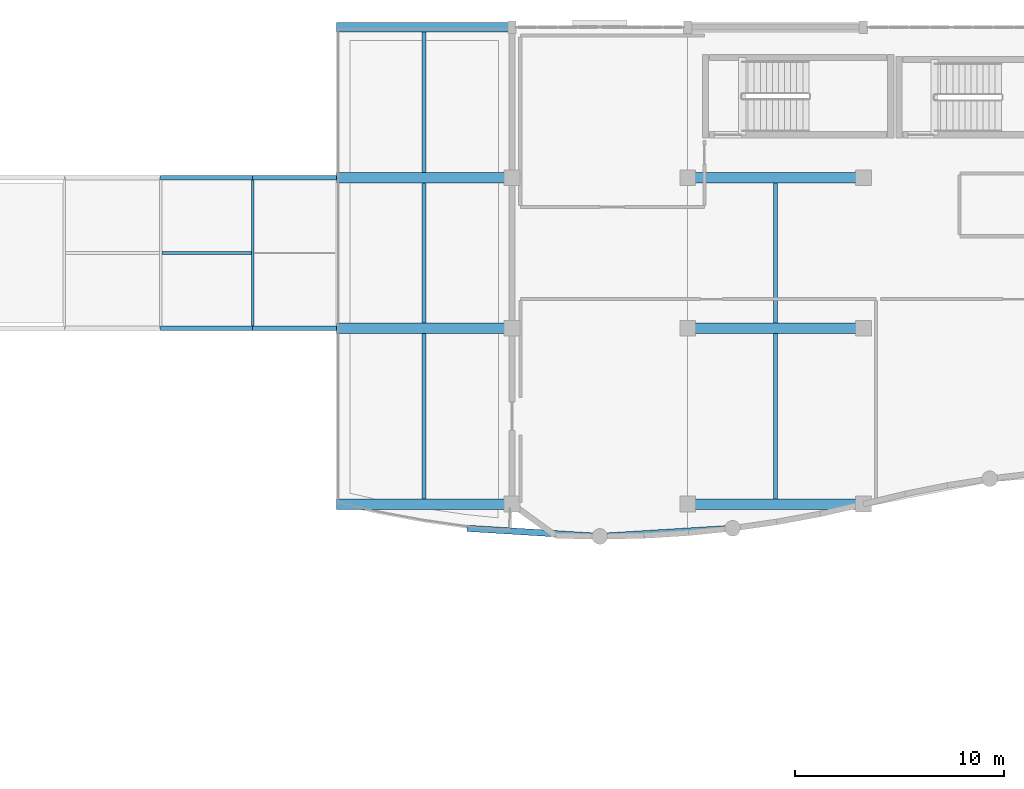
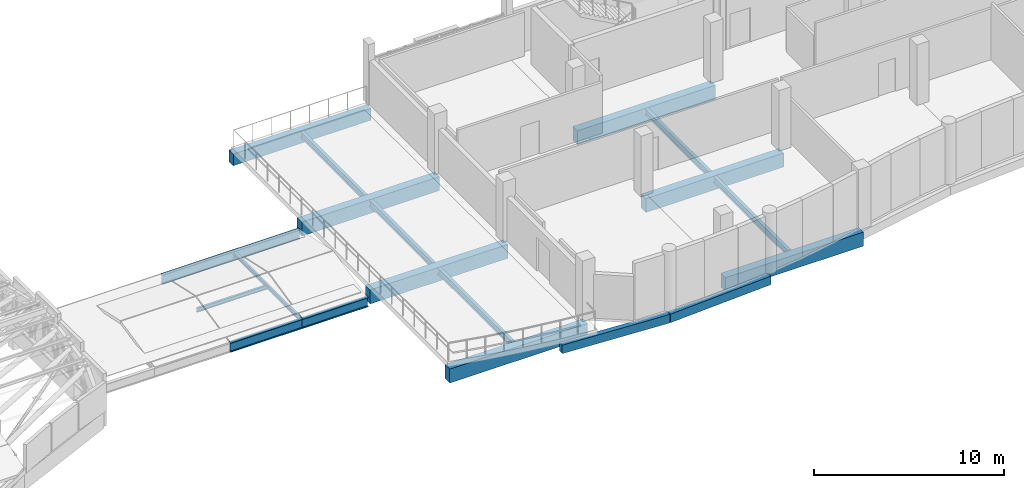
# One storey, part 110 of 188: 20 beams.
"""IFC4 building model written with IfcOpenShell, lengths in metres."""

from ifc_helpers import new_model, si_unit, direction, frame, origin, origin_2d, place, context, subcontext, project, spatial, rectangle, i_section, extrude, material, material_profile, profile_set, type_object, element, save


model = new_model("IFC4")

# Units and contexts
model_context = context("Model", 3, precision=1e-05, world=origin(), true_north=direction((0.0, 1.0)))
body_context = subcontext(model_context, "Body", "Model", "MODEL_VIEW")
ifc_project = project(units=[si_unit("LENGTHUNIT", "METRE"), si_unit("AREAUNIT", "SQUARE_METRE"), si_unit("VOLUMEUNIT", "CUBIC_METRE"), si_unit("PLANEANGLEUNIT", "RADIAN"), si_unit("MASSUNIT", "GRAM", prefix="KILO")], contexts=[model_context])

# Site, building, storey
site_placement = place(None, origin())
site = spatial("IfcSite", under=ifc_project, at=site_placement, CompositionType="ELEMENT")
building_placement = place(site_placement, origin())
building = spatial("IfcBuilding", under=site, at=building_placement, Name="Kisaragi Civic Commons", CompositionType="ELEMENT")
storey_placement = place(building_placement, frame((0.0, 0.0, 9.60009765625)))
storey = spatial("IfcBuildingStorey", under=building, at=storey_placement, Name="L02", CompositionType="ELEMENT", Elevation=9.60009765625)

# Beams
ifc_material_1 = material(Name="Steel SN490 (SN490B)", Category="steel")
ifc_material_profile_1 = material_profile(ifc_material_1, i_section(OverallWidth=0.199951171875, OverallDepth=0.60009765625, WebThickness=0.010986328125, FlangeThickness=0.01708984375, FilletRadius=0.012939453125, at=origin_2d()), Name="H-600x200x11x17", Category="steel")
ifc_profile_set_1 = profile_set([ifc_material_profile_1], Name="Steel SN490 (SN490B)")
beam_type_1 = type_object("IfcBeamType", Name="G-10", PredefinedType="BEAM", material=ifc_profile_set_1)
beam_1_placement = place(storey_placement, frame((72.0, 104.39990234375, -1.190185546875), z_axis=(-1.0, 0.0, 0.0), x_axis=(0.0, -1.0, 0.0)))
element("IfcBeam", 1, at=beam_1_placement, inside=storey, type_object=beam_type_1, Name="BR-V4-V2 L02 bridge girder 31", PredefinedType="BEAM", context=body_context, shape_type="SweptSolid", body=[
    extrude(i_section(OverallWidth=0.199951171875, OverallDepth=0.60009765625, WebThickness=0.010986328125, FlangeThickness=0.01708984375, FilletRadius=0.012939453125, at=origin_2d()), origin(), (0.0, 0.0, 1.0), 4.0),
])
beam_2_placement = place(storey_placement, frame((68.0, 104.39990234375, -1.190185546875), z_axis=(-1.0, 0.0, 0.0), x_axis=(0.0, -1.0, 0.0)))
element("IfcBeam", 2, at=beam_2_placement, inside=storey, type_object=beam_type_1, Name="BR-V4-V2 L02 bridge girder 32", PredefinedType="BEAM", context=body_context, shape_type="SweptSolid", body=[
    extrude(i_section(OverallWidth=0.199951171875, OverallDepth=0.60009765625, WebThickness=0.010986328125, FlangeThickness=0.01708984375, FilletRadius=0.012939453125, at=origin_2d()), origin(), (0.0, 0.0, 1.0), 4.39990234375),
])
beam_3_placement = place(storey_placement, frame((72.0, 111.60009765625, -1.190185546875), z_axis=(-1.0, 0.0, 0.0), x_axis=(0.0, -1.0, 0.0)))
element("IfcBeam", 3, at=beam_3_placement, inside=storey, type_object=beam_type_1, Name="BR-V4-V2 L02 bridge girder 36", PredefinedType="BEAM", context=body_context, shape_type="SweptSolid", body=[
    extrude(i_section(OverallWidth=0.199951171875, OverallDepth=0.60009765625, WebThickness=0.010986328125, FlangeThickness=0.01708984375, FilletRadius=0.012939453125, at=origin_2d()), origin(), (0.0, 0.0, 1.0), 4.0),
])
beam_4_placement = place(storey_placement, frame((68.0, 111.60009765625, -1.190185546875), z_axis=(-1.0, 0.0, 0.0), x_axis=(0.0, -1.0, 0.0)))
element("IfcBeam", 4, at=beam_4_placement, inside=storey, type_object=beam_type_1, Name="BR-V4-V2 L02 bridge girder 37", PredefinedType="BEAM", context=body_context, shape_type="SweptSolid", body=[
    extrude(i_section(OverallWidth=0.199951171875, OverallDepth=0.60009765625, WebThickness=0.010986328125, FlangeThickness=0.01708984375, FilletRadius=0.012939453125, at=origin_2d()), origin(), (0.0, 0.0, 1.0), 4.39990234375),
])
ifc_material_2 = material(Name="Concrete Fc36", Category="concrete")
ifc_material_profile_2 = material_profile(ifc_material_2, rectangle(XDim=0.5, YDim=0.89990234375, at=origin_2d()), Name="RC-500x900", Category="concrete")
ifc_profile_set_2 = profile_set([ifc_material_profile_2], Name="Concrete Fc36")
beam_type_2 = type_object("IfcBeamType", Name="G-15", PredefinedType="BEAM", material=ifc_profile_set_2)
for number, where, z_axis, x_axis, name in (
    (5, (72.0, 96.0, -0.77001953125), (1.0, 0.0, 0.0), (0.0, 1.0, 0.0), "L02 girder G-15 296"),
    (6, (88.800048828125, 96.0, -0.77001953125), (1.0, 0.0, 0.0), (0.0, 1.0, 0.0), "L02 girder G-15 297"),
    (7, (72.0, 104.39990234375, -0.77001953125), (1.0, 0.0, 0.0), (0.0, 1.0, 0.0), "L02 girder G-15 300"),
    (8, (88.800048828125, 104.39990234375, -0.77001953125), (1.0, 0.0, 0.0), (0.0, 1.0, 0.0), "L02 girder G-15 301"),
    (9, (72.0, 111.60009765625, -0.77001953125), (1.0, 0.0, 0.0), (0.0, 1.0, 0.0), "L02 girder G-15 305"),
    (10, (88.800048828125, 111.60009765625, -0.77001953125), (1.0, 0.0, 0.0), (0.0, 1.0, 0.0), "L02 girder G-15 306"),
):
    element("IfcBeam", number, at=place(storey_placement, frame(where, z_axis=z_axis, x_axis=x_axis)), inside=storey, type_object=beam_type_2, Name=name, PredefinedType="BEAM", context=body_context, shape_type="SweptSolid", body=[
        extrude(rectangle(XDim=0.5, YDim=0.89990234375, at=origin_2d()), origin(), (0.0, 0.0, 1.0), 8.39990234375),
    ])
ifc_material_3 = material(Name="Steel SN400 (SN400B)", Category="steel")
ifc_material_profile_3 = material_profile(ifc_material_3, i_section(OverallWidth=0.199951171875, OverallDepth=0.39990234375, WebThickness=0.008056640625, FlangeThickness=0.012939453125, FilletRadius=0.012939453125, at=origin_2d()), Name="H-400x200x8x13", Category="steel")
ifc_profile_set_3 = profile_set([ifc_material_profile_3], Name="Steel SN400 (SN400B)")
beam_type_3 = type_object("IfcBeamType", Name="J-01", PredefinedType="JOIST", material=ifc_profile_set_3)
beam_5_placement = place(storey_placement, frame((76.199951171875, 96.25, -0.52001953125), z_axis=(0.0, 1.0, 0.0), x_axis=(-1.0, 0.0, 0.0)))
element("IfcBeam", 11, at=beam_5_placement, inside=storey, type_object=beam_type_3, Name="L02 secondary steel joist J-01 58", PredefinedType="JOIST", context=body_context, shape_type="SweptSolid", body=[
    extrude(i_section(OverallWidth=0.199951171875, OverallDepth=0.39990234375, WebThickness=0.008056640625, FlangeThickness=0.012939453125, FilletRadius=0.012939453125, at=origin_2d()), origin(), (0.0, 0.0, 1.0), 7.89990234375),
])
beam_6_placement = place(storey_placement, frame((76.199951171875, 104.64990234375, -0.52001953125), z_axis=(0.0, 1.0, 0.0), x_axis=(-1.0, 0.0, 0.0)))
element("IfcBeam", 12, at=beam_6_placement, inside=storey, type_object=beam_type_3, Name="L02 secondary steel joist J-01 59", PredefinedType="JOIST", context=body_context, shape_type="SweptSolid", body=[
    extrude(i_section(OverallWidth=0.199951171875, OverallDepth=0.39990234375, WebThickness=0.008056640625, FlangeThickness=0.012939453125, FilletRadius=0.012939453125, at=origin_2d()), origin(), (0.0, 0.0, 1.0), 6.7001953125),
])
beam_7_placement = place(storey_placement, frame((76.199951171875, 111.85009765625, -0.52001953125), z_axis=(0.0, 1.0, 0.0), x_axis=(-1.0, 0.0, 0.0)))
element("IfcBeam", 13, at=beam_7_placement, inside=storey, type_object=beam_type_3, Name="L02 secondary steel joist J-01 60", PredefinedType="JOIST", context=body_context, shape_type="SweptSolid", body=[
    extrude(i_section(OverallWidth=0.199951171875, OverallDepth=0.39990234375, WebThickness=0.008056640625, FlangeThickness=0.012939453125, FilletRadius=0.012939453125, at=origin_2d()), origin(), (0.0, 0.0, 1.0), 6.724853515625),
])
beam_8_placement = place(storey_placement, frame((93.0, 96.25, -0.52001953125), z_axis=(0.0, 1.0, 0.0), x_axis=(-1.0, 0.0, 0.0)))
element("IfcBeam", 14, at=beam_8_placement, inside=storey, type_object=beam_type_3, Name="L02 secondary steel joist J-01 61", PredefinedType="JOIST", context=body_context, shape_type="SweptSolid", body=[
    extrude(i_section(OverallWidth=0.199951171875, OverallDepth=0.39990234375, WebThickness=0.008056640625, FlangeThickness=0.012939453125, FilletRadius=0.012939453125, at=origin_2d()), origin(), (0.0, 0.0, 1.0), 7.89990234375),
])
beam_9_placement = place(storey_placement, frame((93.0, 104.64990234375, -0.52001953125), z_axis=(0.0, 1.0, 0.0), x_axis=(-1.0, 0.0, 0.0)))
element("IfcBeam", 15, at=beam_9_placement, inside=storey, type_object=beam_type_3, Name="L02 secondary steel joist J-01 62", PredefinedType="JOIST", context=body_context, shape_type="SweptSolid", body=[
    extrude(i_section(OverallWidth=0.199951171875, OverallDepth=0.39990234375, WebThickness=0.008056640625, FlangeThickness=0.012939453125, FilletRadius=0.012939453125, at=origin_2d()), origin(), (0.0, 0.0, 1.0), 6.7001953125),
])
ifc_material_profile_4 = material_profile(ifc_material_3, i_section(OverallWidth=0.125, OverallDepth=0.25, WebThickness=0.006103515625, FlangeThickness=0.009033203125, FilletRadius=0.008056640625, at=origin_2d()), Name="H-250x125x6x9", Category="steel")
ifc_profile_set_4 = profile_set([ifc_material_profile_4], Name="Steel SN400 (SN400B)")
beam_type_4 = type_object("IfcBeamType", Name="J-05", PredefinedType="JOIST", material=ifc_profile_set_4)
beam_10_placement = place(storey_placement, frame((68.0, 104.39990234375, -1.01513671875), z_axis=(0.0, 1.0, 0.0), x_axis=(-1.0, 0.0, 0.0)))
element("IfcBeam", 16, at=beam_10_placement, inside=storey, type_object=beam_type_4, Name="BR-V4-V2 L02 cross joist 41", PredefinedType="JOIST", context=body_context, shape_type="SweptSolid", body=[
    extrude(i_section(OverallWidth=0.125, OverallDepth=0.25, WebThickness=0.006103515625, FlangeThickness=0.009033203125, FilletRadius=0.008056640625, at=origin_2d()), origin(), (0.0, 0.0, 1.0), 7.2001953125),
])
beam_11_placement = place(storey_placement, frame((67.9375, 108.0, -1.01513671875), z_axis=(-1.0, 0.0, 0.0), x_axis=(0.0, -1.0, 0.0)))
element("IfcBeam", 17, at=beam_11_placement, inside=storey, type_object=beam_type_4, Name="BR-V4-V2 L02 spine joist 44", PredefinedType="JOIST", context=body_context, shape_type="SweptSolid", body=[
    extrude(i_section(OverallWidth=0.125, OverallDepth=0.25, WebThickness=0.006103515625, FlangeThickness=0.009033203125, FilletRadius=0.008056640625, at=origin_2d()), origin(), (0.0, 0.0, 1.0), 4.27490234375),
])
ifc_material_4 = material(Name="Precast concrete Fc36", Category="concrete")
ifc_material_profile_5 = material_profile(ifc_material_4, rectangle(XDim=0.300048828125, YDim=0.550048828125, at=origin_2d()), Name="PC-300x550", Category="concrete")
ifc_profile_set_5 = profile_set([ifc_material_profile_5], Name="Precast concrete Fc36")
beam_type_5 = type_object("IfcBeamType", Name="LN-01", PredefinedType="LINTEL", material=ifc_profile_set_5)
beam_12_placement = place(storey_placement, frame((78.25244140625, 94.839111328125, -0.59521484375), z_axis=(0.998130651242, -0.061116307568, 0.0), x_axis=(0.061116307568, 0.998130651242, 0.0)))
element("IfcBeam", 18, at=beam_12_placement, inside=storey, type_object=beam_type_5, Name="L02 curved spandrel/ring girder LN-01 315", PredefinedType="LINTEL", context=body_context, shape_type="SweptSolid", body=[
    extrude(rectangle(XDim=0.300048828125, YDim=0.550048828125, at=origin_2d()), origin(), (0.0, 0.0, 1.0), 6.359619140625),
])
beam_13_placement = place(storey_placement, frame((84.60009765625, 94.450439453125, -0.59521484375), z_axis=(0.998130507841, 0.061118649505, 0.0), x_axis=(-0.061118649505, 0.998130507841, 0.0)))
element("IfcBeam", 19, at=beam_13_placement, inside=storey, type_object=beam_type_5, Name="L02 curved spandrel/ring girder LN-01 316", PredefinedType="LINTEL", context=body_context, shape_type="SweptSolid", body=[
    extrude(rectangle(XDim=0.300048828125, YDim=0.550048828125, at=origin_2d()), origin(), (0.0, 0.0, 1.0), 6.359375),
])
ifc_material_5 = material(Name="Concrete Fc30", Category="concrete")
ifc_material_profile_6 = material_profile(ifc_material_5, rectangle(XDim=0.449951171875, YDim=0.75, at=origin_2d()), Name="RC-450x750", Category="concrete")
ifc_profile_set_6 = profile_set([ifc_material_profile_6], Name="Concrete Fc30")
beam_type_6 = type_object("IfcBeamType", Name="SPB-04", PredefinedType="SPANDREL", material=ifc_profile_set_6)
beam_14_placement = place(storey_placement, frame((72.0, 118.800048828125, -0.695068359375), z_axis=(1.0, 0.0, 0.0), x_axis=(0.0, 1.0, 0.0)))
element("IfcBeam", 20, at=beam_14_placement, inside=storey, type_object=beam_type_6, Name="L02 girder SPB-04 310", PredefinedType="SPANDREL", context=body_context, shape_type="SweptSolid", body=[
    extrude(rectangle(XDim=0.449951171875, YDim=0.75, at=origin_2d()), origin(), (0.0, 0.0, 1.0), 8.39990234375),
])

save(model, "model.ifc")
